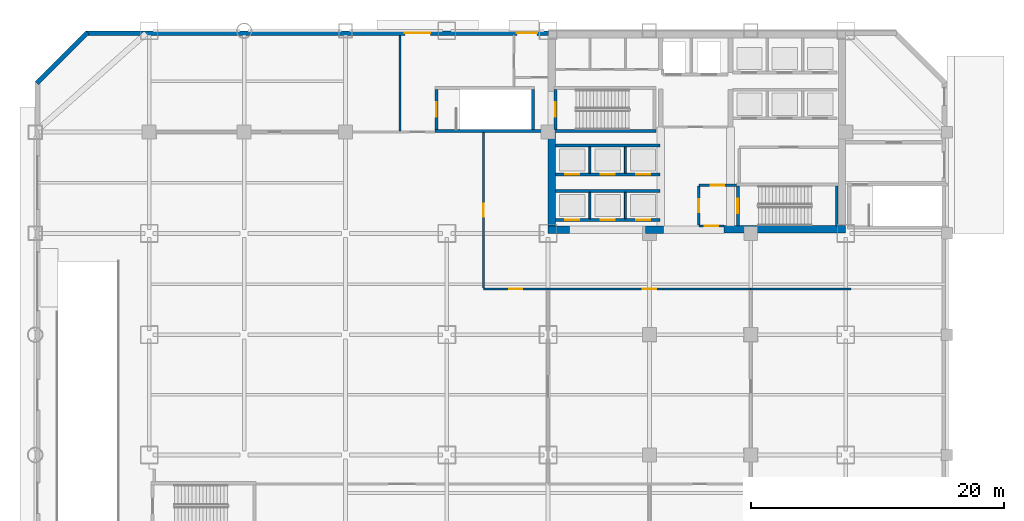
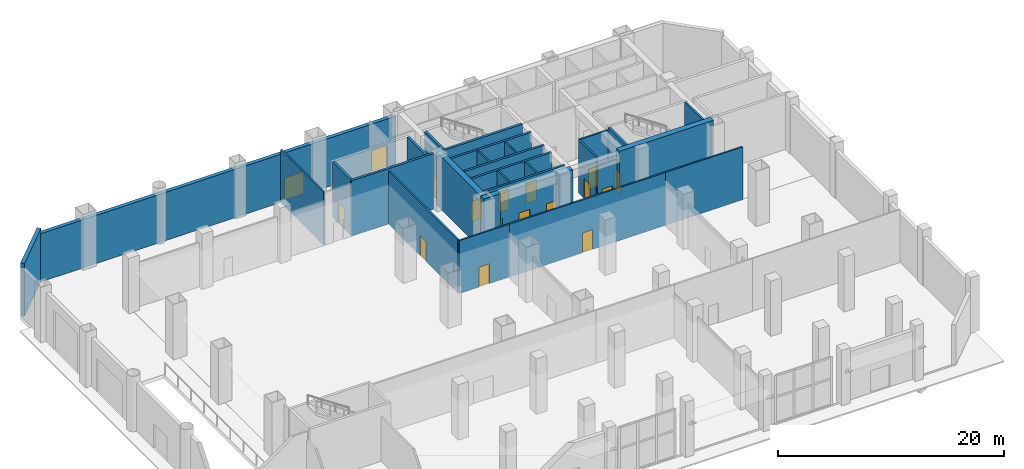
# One storey, part 12 of 19: 29 walls, 17 doors, 17 openings.
"""IFC4 building model written with IfcOpenShell, lengths in metres."""

from ifc_helpers import new_model, si_unit, direction, frame, frame_2d, origin, place, context, subcontext, project, spatial, rectangle, extrude, material, layer, layer_set, type_object, element, fill, save


model = new_model("IFC4")

# Units and contexts
model_context = context("Model", 3, precision=1e-05, world=origin(), true_north=direction((0.0, 1.0)))
body_context = subcontext(model_context, "Body", "Model", "MODEL_VIEW")
ifc_project = project(units=[si_unit("LENGTHUNIT", "METRE"), si_unit("AREAUNIT", "SQUARE_METRE"), si_unit("VOLUMEUNIT", "CUBIC_METRE"), si_unit("PLANEANGLEUNIT", "RADIAN"), si_unit("MASSUNIT", "GRAM", prefix="KILO")], contexts=[model_context])

# Site, building, storey
site_placement = place(None, origin())
site = spatial("IfcSite", under=ifc_project, at=site_placement, CompositionType="ELEMENT")
building_placement = place(site_placement, origin())
building = spatial("IfcBuilding", under=site, at=building_placement, Name="Qianrong Seaharbour Tower", CompositionType="ELEMENT")
storey_placement = place(building_placement, origin())
storey = spatial("IfcBuildingStorey", under=building, at=storey_placement, Name="L01", CompositionType="ELEMENT", Elevation=0.0)

# Walls
ifc_material_1 = material(Name="Concrete C70/85", Category="concrete")
ifc_layer_1 = layer(ifc_material_1, 0.580078125)
ifc_layer_set_1 = layer_set([ifc_layer_1], Name="Concrete C70/85")
wall_type_1 = type_object("IfcWallType", Name="WALL-CORE-580", PredefinedType="SHEAR", material=ifc_layer_set_1)
wall_1_placement = place(storey_placement, frame((40.7900390625, 36.580078125, 0.0), z_axis=(0.0, 0.0, 1.0), x_axis=(0.0, 1.0, 0.0)))
element("IfcWall", 1, at=wall_1_placement, inside=storey, type_object=wall_type_1, Name="L01 West Core Shear Wall South", PredefinedType="SHEAR", context=body_context, shape_type="SweptSolid", body=[
    extrude(rectangle(XDim=7.81982421875, YDim=0.580078125, at=frame_2d((3.909912109375, 0.0))), origin(), (0.0, 0.0, 1.0), 5.719970703125),
])
wall_2_placement = place(storey_placement, frame((40.5, 36.2900390625, 0.0), z_axis=(0.0, 0.0, 1.0), x_axis=(1.0, 0.0, 0.0)))
element("IfcWall", 2, at=wall_2_placement, inside=storey, type_object=wall_type_1, Name="L01 South Core Shear Wall S1", PredefinedType="SHEAR", context=body_context, shape_type="SweptSolid", body=[
    extrude(rectangle(XDim=1.699951171875, YDim=0.580078125, at=frame_2d((0.85009765625, 0.0))), origin(), (0.0, 0.0, 1.0), 5.719970703125),
])
wall_3_placement = place(storey_placement, frame((48.199951171875, 36.2900390625, 0.0), z_axis=(0.0, 0.0, 1.0), x_axis=(1.0, 0.0, 0.0)))
element("IfcWall", 3, at=wall_3_placement, inside=storey, type_object=wall_type_1, Name="L01 South Core Shear Wall S2", PredefinedType="SHEAR", context=body_context, shape_type="SweptSolid", body=[
    extrude(rectangle(XDim=1.400146484375, YDim=0.580078125, at=frame_2d((0.7001953125, 0.0))), origin(), (0.0, 0.0, 1.0), 5.719970703125),
])
wall_4_placement = place(storey_placement, frame((54.39990234375, 36.320068359375, 0.0), z_axis=(0.0, 0.0, 1.0), x_axis=(1.0, 0.0, 0.0)))
element("IfcWall", 4, at=wall_4_placement, inside=storey, type_object=wall_type_1, Name="L01 South Core Shear Wall S3", PredefinedType="SHEAR", context=body_context, shape_type="SweptSolid", body=[
    extrude(rectangle(XDim=9.60009765625, YDim=0.580078125, at=frame_2d((4.800048828125, 0.0))), origin(), (0.0, 0.0, 1.0), 6.0),
])

# Wall, opening, door
ifc_material_2 = material(Name="Fire-rated acoustic gypsum board partition")
ifc_layer_2 = layer(ifc_material_2, 0.1650390625)
ifc_layer_set_2 = layer_set([ifc_layer_2], Name="Fire-rated acoustic gypsum board partition")
wall_type_2 = type_object("IfcWallType", Name="WALL-CORR-PART-165", PredefinedType="PARTITIONING", material=ifc_layer_set_2)
wall_5_placement = place(storey_placement, frame((54.39990234375, 36.580078125, 0.0), z_axis=(0.0, 0.0, 1.0), x_axis=(-1.0, 0.0, 0.0)))
wall_5 = element("IfcWall", 5, at=wall_5_placement, inside=storey, type_object=wall_type_2, Name="L01 Interior Partition Wall 005", PredefinedType="PARTITIONING", context=body_context, shape_type="SweptSolid", body=[
    extrude(rectangle(XDim=2.0, YDim=0.1650390625, at=frame_2d((1.0, 0.0))), origin(), (0.0, 0.0, 1.0), 4.81201171875),
])
opening_1_placement = place(wall_5_placement, frame((0.47509765625, 0.0, 0.0)))
opening_1 = element("IfcOpeningElement", 6, at=opening_1_placement, cuts=wall_5, Name="Opening DC-01", PredefinedType="OPENING", context=body_context, shape_type="SweptSolid", body=[
    extrude(rectangle(XDim=1.050048828125, YDim=2.14990234375, at=frame_2d((0.52490234375, 1.074951171875))), frame((0.0, 0.092529296875, 0.0), z_axis=(0.0, -1.0, 0.0), x_axis=(1.0, 0.0, 0.0)), (0.0, 0.0, 1.0), 0.18505859375),
])
ifc_material_3 = material(Name="Acoustic timber and galvanized steel fire door assembly", Category="steel")
door_type_1 = type_object("IfcDoorType", Name="DOOR-CORR-FD60-1050x2150", OperationType="NOTDEFINED", PredefinedType="DOOR", material=ifc_material_3)
door_1_placement = place(opening_1_placement, origin())
door_1 = element("IfcDoor", 7, at=door_1_placement, inside=storey, type_object=door_type_1, Name="L01 Smokeproof Stair Vestibule ST-2 Door", OperationType="SINGLE_SWING_RIGHT", OverallHeight=2.14990234375, OverallWidth=1.050048828125, PredefinedType="DOOR", context=body_context, shape_type="SweptSolid", body=[
    extrude(rectangle(XDim=1.050048828125, YDim=2.14990234375, at=frame_2d((0.52490234375, 1.074951171875))), frame((0.0, 0.02490234375, 0.0), z_axis=(0.0, -1.0, 0.0), x_axis=(1.0, 0.0, 0.0)), (0.0, 0.0, 1.0), 0.050048828125),
])
fill(opening_1, door_1)

wall_6_placement = place(storey_placement, frame((52.39990234375, 36.654541015625, 0.0), z_axis=(0.0, 0.0, 1.0), x_axis=(0.0, 1.0, 0.0)))
wall_6 = element("IfcWall", 8, at=wall_6_placement, inside=storey, type_object=wall_type_2, Name="L01 Interior Partition Wall 006", PredefinedType="PARTITIONING", context=body_context, shape_type="SweptSolid", body=[
    extrude(rectangle(XDim=3.071044921875, YDim=0.1650390625, at=frame_2d((1.53564453125, 0.0))), origin(), (0.0, 0.0, 1.0), 5.719970703125),
])
opening_2_placement = place(wall_6_placement, frame((1.010498046875, 0.0, 0.0)))
opening_2 = element("IfcOpeningElement", 9, at=opening_2_placement, cuts=wall_6, Name="Opening DC-01", PredefinedType="OPENING", context=body_context, shape_type="SweptSolid", body=[
    extrude(rectangle(XDim=1.050048828125, YDim=2.14990234375, at=frame_2d((0.52490234375, 1.074951171875))), frame((0.0, 0.092529296875, 0.0), z_axis=(0.0, -1.0, 0.0), x_axis=(1.0, 0.0, 0.0)), (0.0, 0.0, 1.0), 0.18505859375),
])
door_2_placement = place(opening_2_placement, origin())
door_2 = element("IfcDoor", 10, at=door_2_placement, inside=storey, type_object=door_type_1, Name="L01 Smokeproof Stair Vestibule ST-2 Door", OperationType="SINGLE_SWING_LEFT", OverallHeight=2.14990234375, OverallWidth=1.050048828125, PredefinedType="DOOR", context=body_context, shape_type="SweptSolid", body=[
    extrude(rectangle(XDim=1.050048828125, YDim=2.14990234375, at=frame_2d((0.52490234375, 1.074951171875))), frame((0.0, 0.02490234375, 0.0), z_axis=(0.0, -1.0, 0.0), x_axis=(1.0, 0.0, 0.0)), (0.0, 0.0, 1.0), 0.050048828125),
])
fill(opening_2, door_2)

wall_7_placement = place(storey_placement, frame((52.39990234375, 39.800048828125, 0.0), z_axis=(0.0, 0.0, 1.0), x_axis=(1.0, 0.0, 0.0)))
wall_7 = element("IfcWall", 11, at=wall_7_placement, inside=storey, type_object=wall_type_2, Name="L01 Interior Partition Wall 007", PredefinedType="PARTITIONING", context=body_context, shape_type="SweptSolid", body=[
    extrude(rectangle(XDim=2.960205078125, YDim=0.1650390625, at=frame_2d((1.47998046875, 0.0))), origin(), (0.0, 0.0, 1.0), 5.719970703125),
])
opening_3_placement = place(wall_7_placement, frame((0.955078125, 0.0, 0.0)))
opening_3 = element("IfcOpeningElement", 12, at=opening_3_placement, cuts=wall_7, Name="Opening DC-01", PredefinedType="OPENING", context=body_context, shape_type="SweptSolid", body=[
    extrude(rectangle(XDim=1.050048828125, YDim=2.14990234375, at=frame_2d((0.52490234375, 1.074951171875))), frame((0.0, 0.092529296875, 0.0), z_axis=(0.0, -1.0, 0.0), x_axis=(1.0, 0.0, 0.0)), (0.0, 0.0, 1.0), 0.18505859375),
])
door_3_placement = place(opening_3_placement, origin())
door_3 = element("IfcDoor", 13, at=door_3_placement, inside=storey, type_object=door_type_1, Name="L01 Smokeproof Stair Vestibule ST-2 Door", OperationType="SINGLE_SWING_RIGHT", OverallHeight=2.14990234375, OverallWidth=1.050048828125, PredefinedType="DOOR", context=body_context, shape_type="SweptSolid", body=[
    extrude(rectangle(XDim=1.050048828125, YDim=2.14990234375, at=frame_2d((0.52490234375, 1.074951171875))), frame((0.0, 0.02490234375, 0.0), z_axis=(0.0, -1.0, 0.0), x_axis=(1.0, 0.0, 0.0)), (0.0, 0.0, 1.0), 0.050048828125),
])
fill(opening_3, door_3)

# Wall
wall_8_placement = place(storey_placement, frame((28.800048828125, 44.074462890625, 0.0), z_axis=(0.0, 0.0, 1.0), x_axis=(0.0, 1.0, 0.0)))
element("IfcWall", 14, at=wall_8_placement, inside=storey, type_object=wall_type_2, Name="L01 Interior Partition Wall 016", PredefinedType="PARTITIONING", context=body_context, shape_type="SweptSolid", body=[
    extrude(rectangle(XDim=7.553466796875, YDim=0.1650390625, at=frame_2d((3.77685546875, 0.0))), origin(), (0.0, 0.0, 1.0), 5.719970703125),
])

# Wall, opening, door
wall_9_placement = place(storey_placement, frame((40.5, 31.60009765625, 0.0), z_axis=(0.0, 0.0, 1.0), x_axis=(-1.0, 0.0, 0.0)))
wall_9 = element("IfcWall", 15, at=wall_9_placement, inside=storey, type_object=wall_type_2, Name="L01 Interior Partition Wall 018", PredefinedType="PARTITIONING", context=body_context, shape_type="SweptSolid", body=[
    extrude(rectangle(XDim=5.10009765625, YDim=0.1650390625, at=frame_2d((2.550048828125, 0.0))), origin(), (0.0, 0.0, 1.0), 5.719970703125),
])
opening_4_placement = place(wall_9_placement, frame((2.02490234375, 0.0, 0.0)))
opening_4 = element("IfcOpeningElement", 16, at=opening_4_placement, cuts=wall_9, Name="Opening DC-01", PredefinedType="OPENING", context=body_context, shape_type="SweptSolid", body=[
    extrude(rectangle(XDim=1.050048828125, YDim=2.14990234375, at=frame_2d((0.52490234375, 1.074951171875))), frame((0.0, 0.092529296875, 0.0), z_axis=(0.0, -1.0, 0.0), x_axis=(1.0, 0.0, 0.0)), (0.0, 0.0, 1.0), 0.18505859375),
])
door_4_placement = place(opening_4_placement, origin())
door_4 = element("IfcDoor", 17, at=door_4_placement, inside=storey, type_object=door_type_1, Name="L01 Protected Escape Stair Exit Passageway Door", OperationType="SINGLE_SWING_RIGHT", OverallHeight=2.14990234375, OverallWidth=1.050048828125, PredefinedType="DOOR", context=body_context, shape_type="SweptSolid", body=[
    extrude(rectangle(XDim=1.050048828125, YDim=2.14990234375, at=frame_2d((0.52490234375, 1.074951171875))), frame((0.0, 0.02490234375, 0.0), z_axis=(0.0, -1.0, 0.0), x_axis=(1.0, 0.0, 0.0)), (0.0, 0.0, 1.0), 0.050048828125),
])
fill(opening_4, door_4)

wall_10_placement = place(storey_placement, frame((35.39990234375, 31.674560546875, 0.0), z_axis=(0.0, 0.0, 1.0), x_axis=(0.0, 1.0, 0.0)))
wall_10 = element("IfcWall", 18, at=wall_10_placement, inside=storey, type_object=wall_type_2, Name="L01 Interior Partition Wall 019", PredefinedType="PARTITIONING", context=body_context, shape_type="SweptSolid", body=[
    extrude(rectangle(XDim=12.29345703125, YDim=0.1650390625, at=frame_2d((6.146728515625, 0.0))), origin(), (0.0, 0.0, 1.0), 5.719970703125),
])
opening_5_placement = place(wall_10_placement, frame((5.62158203125, 0.0, 0.0)))
opening_5 = element("IfcOpeningElement", 19, at=opening_5_placement, cuts=wall_10, Name="Opening DC-01", PredefinedType="OPENING", context=body_context, shape_type="SweptSolid", body=[
    extrude(rectangle(XDim=1.050048828125, YDim=2.14990234375, at=frame_2d((0.52490234375, 1.074951171875))), frame((0.0, 0.092529296875, 0.0), z_axis=(0.0, -1.0, 0.0), x_axis=(1.0, 0.0, 0.0)), (0.0, 0.0, 1.0), 0.18505859375),
])
door_5_placement = place(opening_5_placement, origin())
door_5 = element("IfcDoor", 20, at=door_5_placement, inside=storey, type_object=door_type_1, Name="L01 Protected Escape Stair Exit Passageway Door", OperationType="SINGLE_SWING_RIGHT", OverallHeight=2.14990234375, OverallWidth=1.050048828125, PredefinedType="DOOR", context=body_context, shape_type="SweptSolid", body=[
    extrude(rectangle(XDim=1.050048828125, YDim=2.14990234375, at=frame_2d((0.52490234375, 1.074951171875))), frame((0.0, 0.02490234375, 0.0), z_axis=(0.0, -1.0, 0.0), x_axis=(1.0, 0.0, 0.0)), (0.0, 0.0, 1.0), 0.050048828125),
])
fill(opening_5, door_5)

wall_11_placement = place(storey_placement, frame((56.5, 31.60009765625, 0.0), z_axis=(0.0, 0.0, 1.0), x_axis=(-1.0, 0.0, 0.0)))
wall_11 = element("IfcWall", 21, at=wall_11_placement, inside=storey, type_object=wall_type_2, Name="L01 Interior Partition Wall 020", PredefinedType="PARTITIONING", context=body_context, shape_type="SweptSolid", body=[
    extrude(rectangle(XDim=16.0, YDim=0.1650390625, at=frame_2d((8.0, 0.0))), origin(), (0.0, 0.0, 1.0), 5.719970703125),
])
opening_6_placement = place(wall_11_placement, frame((7.47509765625, 0.0, 0.0)))
opening_6 = element("IfcOpeningElement", 22, at=opening_6_placement, cuts=wall_11, Name="Opening DC-01", PredefinedType="OPENING", context=body_context, shape_type="SweptSolid", body=[
    extrude(rectangle(XDim=1.050048828125, YDim=2.14990234375, at=frame_2d((0.52490234375, 1.074951171875))), frame((0.0, 0.092529296875, 0.0), z_axis=(0.0, -1.0, 0.0), x_axis=(1.0, 0.0, 0.0)), (0.0, 0.0, 1.0), 0.18505859375),
])
door_6_placement = place(opening_6_placement, origin())
door_6 = element("IfcDoor", 23, at=door_6_placement, inside=storey, type_object=door_type_1, Name="L01 Protected Escape Stair Exit Passageway Door", OperationType="SINGLE_SWING_LEFT", OverallHeight=2.14990234375, OverallWidth=1.050048828125, PredefinedType="DOOR", context=body_context, shape_type="SweptSolid", body=[
    extrude(rectangle(XDim=1.050048828125, YDim=2.14990234375, at=frame_2d((0.52490234375, 1.074951171875))), frame((0.0, 0.02490234375, 0.0), z_axis=(0.0, -1.0, 0.0), x_axis=(1.0, 0.0, 0.0)), (0.0, 0.0, 1.0), 0.050048828125),
])
fill(opening_6, door_6)

# Walls
wall_12_placement = place(storey_placement, frame((64.39990234375, 31.60009765625, 0.0), z_axis=(0.0, 0.0, 1.0), x_axis=(-1.0, 0.0, 0.0)))
element("IfcWall", 24, at=wall_12_placement, inside=storey, type_object=wall_type_2, Name="L01 Interior Partition Wall 021", PredefinedType="PARTITIONING", context=body_context, shape_type="SweptSolid", body=[
    extrude(rectangle(XDim=7.89990234375, YDim=0.1650390625, at=frame_2d((3.949951171875, 0.0))), origin(), (0.0, 0.0, 1.0), 5.719970703125),
])
ifc_material_4 = material(Name="Natural honed granite dimension stone", Category="masonry")
ifc_layer_3 = layer(ifc_material_4, 0.3798828125)
ifc_layer_set_3 = layer_set([ifc_layer_3], Name="Natural honed granite dimension stone")
wall_type_3 = type_object("IfcWallType", Name="WALL-EXT-GRANITE-380", PredefinedType="SOLIDWALL", material=ifc_layer_set_3)
wall_13_placement = place(storey_placement, frame((0.13427734375, 47.86572265625, 0.0), z_axis=(0.0, 0.0, 1.0), x_axis=(0.707106781187, 0.707106781187, 0.0)))
element("IfcWall", 25, at=wall_13_placement, inside=storey, type_object=wall_type_3, Name="L01 Exterior Masonry Facade Wall E01", PredefinedType="SOLIDWALL", context=body_context, shape_type="SweptSolid", body=[
    extrude(rectangle(XDim=5.65673828125, YDim=0.3798828125, at=frame_2d((2.828369140625, 0.0))), origin(), (0.0, 0.0, 1.0), 5.719970703125),
])

# Wall, openings, doors
wall_14_placement = place(storey_placement, frame((4.0, 51.81005859375, 0.0), z_axis=(0.0, 0.0, 1.0), x_axis=(1.0, 0.0, 0.0)))
wall_14 = element("IfcWall", 26, at=wall_14_placement, inside=storey, type_object=wall_type_3, Name="L01 Exterior Masonry Facade Wall NORTH_WING", PredefinedType="SOLIDWALL", context=body_context, shape_type="SweptSolid", body=[
    extrude(rectangle(XDim=36.52001953125, YDim=0.3798828125, at=frame_2d((18.260009765625, 0.0))), origin(), (0.0, 0.0, 1.0), 5.219970703125),
])
opening_7_placement = place(wall_14_placement, frame((25.199951171875, 0.0, 0.0)))
opening_7 = element("IfcOpeningElement", 27, at=opening_7_placement, cuts=wall_14, Name="Opening EXD-1", PredefinedType="OPENING", context=body_context, shape_type="SweptSolid", body=[
    extrude(rectangle(XDim=2.0, YDim=2.39990234375, at=frame_2d((1.0, 1.199951171875))), frame((0.0, 0.199951171875, 0.0), z_axis=(0.0, -1.0, 0.0), x_axis=(1.0, 0.0, 0.0)), (0.0, 0.0, 1.0), 0.39990234375),
])
opening_8_placement = place(wall_14_placement, frame((34.030029296875, 0.0, 0.0)))
opening_8 = element("IfcOpeningElement", 28, at=opening_8_placement, cuts=wall_14, Name="Opening D-TER2", PredefinedType="OPENING", context=body_context, shape_type="SweptSolid", body=[
    extrude(rectangle(XDim=1.60009765625, YDim=2.35009765625, at=frame_2d((0.800048828125, 1.175048828125))), frame((0.0, 0.199951171875, 0.0), z_axis=(0.0, -1.0, 0.0), x_axis=(1.0, 0.0, 0.0)), (0.0, 0.0, 1.0), 0.39990234375),
])
ifc_material_5 = material(Name="Insulated galvanized steel and laminated glass door assembly", Category="steel")
door_type_2 = type_object("IfcDoorType", Name="DOOR-EXT-EXIT-2000x2400", OperationType="DOUBLE_DOOR_SINGLE_SWING", PredefinedType="DOOR", material=ifc_material_5)
door_7_placement = place(opening_7_placement, origin())
door_7 = element("IfcDoor", 29, at=door_7_placement, inside=storey, type_object=door_type_2, Name="L01 North Basement Discharge Exit Door EX-04", OperationType="DOUBLE_DOOR_SINGLE_SWING", OverallHeight=2.39990234375, OverallWidth=2.0, PredefinedType="DOOR", context=body_context, shape_type="SweptSolid", body=[
    extrude(rectangle(XDim=2.0, YDim=2.39990234375, at=frame_2d((1.0, 1.199951171875))), frame((0.0, 0.02490234375, 0.0), z_axis=(0.0, -1.0, 0.0), x_axis=(1.0, 0.0, 0.0)), (0.0, 0.0, 1.0), 0.050048828125),
])
fill(opening_7, door_7)
door_type_3 = type_object("IfcDoorType", Name="DOOR-EXT-GARDEN-1600x2350", OperationType="DOUBLE_DOOR_SINGLE_SWING", PredefinedType="DOOR", material=ifc_material_5)
door_8_placement = place(opening_8_placement, origin())
door_8 = element("IfcDoor", 30, at=door_8_placement, inside=storey, type_object=door_type_3, Name="L01 North Sanitary Vestibule Exit Door EX-07", OperationType="DOUBLE_DOOR_SINGLE_SWING", OverallHeight=2.35009765625, OverallWidth=1.60009765625, PredefinedType="DOOR", context=body_context, shape_type="SweptSolid", body=[
    extrude(rectangle(XDim=1.60009765625, YDim=2.35009765625, at=frame_2d((0.800048828125, 1.175048828125))), frame((0.0, 0.02490234375, 0.0), z_axis=(0.0, -1.0, 0.0), x_axis=(1.0, 0.0, 0.0)), (0.0, 0.0, 1.0), 0.050048828125),
])
fill(opening_8, door_8)

# Walls
ifc_material_6 = material(Name="Fire-rated gypsum board on steel studs", Category="steel")
ifc_layer_4 = layer(ifc_material_6, 0.14990234375)
ifc_layer_set_4 = layer_set([ifc_layer_4], Name="Fire-rated gypsum board on steel studs")
wall_type_4 = type_object("IfcWallType", Name="WALL-SHAFT-DIV-150", PredefinedType="PARTITIONING", material=ifc_layer_set_4)
for number, where, z_axis, x_axis, name in (
    (31, (43.800048828125, 37.159912109375, 0.0), (0.0, 0.0, 1.0), (0.0, 1.0, 0.0), "L01 P1 Lift Hoistway Divider 2"),
    (32, (46.60009765625, 37.159912109375, 0.0), (0.0, 0.0, 1.0), (0.0, 1.0, 0.0), "L01 P1 Lift Hoistway Divider 3"),
    (33, (43.800048828125, 40.760009765625, 0.0), (0.0, 0.0, 1.0), (0.0, 1.0, 0.0), "L01 P2 Lift Hoistway Divider 2"),
    (34, (46.60009765625, 40.760009765625, 0.0), (0.0, 0.0, 1.0), (0.0, 1.0, 0.0), "L01 P2 Lift Hoistway Divider 3"),
):
    element("IfcWall", number, at=place(storey_placement, frame(where, z_axis=z_axis, x_axis=x_axis)), inside=storey, type_object=wall_type_4, Name=name, PredefinedType="PARTITIONING", context=body_context, shape_type="SweptSolid", body=[
        extrude(rectangle(XDim=2.080078125, YDim=0.14990234375, at=frame_2d((1.0400390625, 0.0))), origin(), (0.0, 0.0, 1.0), 5.719970703125),
    ])

# Wall, openings, doors
ifc_layer_5 = layer(ifc_material_6, 0.219970703125)
ifc_layer_set_5 = layer_set([ifc_layer_5], Name="Fire-rated gypsum board on steel studs")
wall_type_5 = type_object("IfcWallType", Name="WALL-SHAFT-GYP220", PredefinedType="PARTITIONING", material=ifc_layer_set_5)
wall_15_placement = place(storey_placement, frame((49.320068359375, 37.050048828125, 0.0), z_axis=(0.0, 0.0, 1.0), x_axis=(-1.0, 0.0, 0.0)))
wall_15 = element("IfcWall", 35, at=wall_15_placement, inside=storey, type_object=wall_type_5, Name="L01 P1 Lift Hoistway Front Wall", PredefinedType="PARTITIONING", context=body_context, shape_type="SweptSolid", body=[
    extrude(rectangle(XDim=8.239990234375, YDim=0.219970703125, at=frame_2d((4.1201171875, 0.0))), origin(), (0.0, 0.0, 1.0), 5.719970703125),
])
opening_9_placement = place(wall_15_placement, frame((6.3701171875, 0.0, 0.0)))
opening_9 = element("IfcOpeningElement", 36, at=opening_9_placement, cuts=wall_15, Name="Opening LD-02", PredefinedType="OPENING", context=body_context, shape_type="SweptSolid", body=[
    extrude(rectangle(XDim=1.10009765625, YDim=2.199951171875, at=frame_2d((0.550048828125, 1.10009765625))), frame((0.0, 0.1201171875, 0.0), z_axis=(0.0, -1.0, 0.0), x_axis=(1.0, 0.0, 0.0)), (0.0, 0.0, 1.0), 0.239990234375),
])
opening_10_placement = place(wall_15_placement, frame((3.570068359375, 0.0, 0.0)))
opening_10 = element("IfcOpeningElement", 37, at=opening_10_placement, cuts=wall_15, Name="Opening LD-02", PredefinedType="OPENING", context=body_context, shape_type="SweptSolid", body=[
    extrude(rectangle(XDim=1.10009765625, YDim=2.199951171875, at=frame_2d((0.550048828125, 1.10009765625))), frame((0.0, 0.1201171875, 0.0), z_axis=(0.0, -1.0, 0.0), x_axis=(1.0, 0.0, 0.0)), (0.0, 0.0, 1.0), 0.239990234375),
])
opening_11_placement = place(wall_15_placement, frame((0.77001953125, 0.0, 0.0)))
opening_11 = element("IfcOpeningElement", 38, at=opening_11_placement, cuts=wall_15, Name="Opening LD-02", PredefinedType="OPENING", context=body_context, shape_type="SweptSolid", body=[
    extrude(rectangle(XDim=1.10009765625, YDim=2.199951171875, at=frame_2d((0.550048828125, 1.10009765625))), frame((0.0, 0.1201171875, 0.0), z_axis=(0.0, -1.0, 0.0), x_axis=(1.0, 0.0, 0.0)), (0.0, 0.0, 1.0), 0.239990234375),
])
ifc_material_7 = material(Name="Stainless steel SUS316L bi-parting lift landing door", Category="steel")
door_type_4 = type_object("IfcDoorType", Name="DOOR-LIFT-PASS-1100x2200", OperationType="DOUBLE_DOOR_SLIDING", PredefinedType="DOOR", material=ifc_material_7)
door_9_placement = place(opening_9_placement, origin())
door_9 = element("IfcDoor", 39, at=door_9_placement, inside=storey, type_object=door_type_4, Name="L01 PL-1A Lift Landing Door", OperationType="DOUBLE_DOOR_SLIDING", OverallHeight=2.199951171875, OverallWidth=1.10009765625, PredefinedType="DOOR", context=body_context, shape_type="SweptSolid", body=[
    extrude(rectangle(XDim=1.10009765625, YDim=2.199951171875, at=frame_2d((0.550048828125, 1.10009765625))), frame((0.0, 0.02490234375, 0.0), z_axis=(0.0, -1.0, 0.0), x_axis=(1.0, 0.0, 0.0)), (0.0, 0.0, 1.0), 0.050048828125),
])
fill(opening_9, door_9)
door_10_placement = place(opening_10_placement, origin())
door_10 = element("IfcDoor", 40, at=door_10_placement, inside=storey, type_object=door_type_4, Name="L01 PL-1B Lift Landing Door", OperationType="DOUBLE_DOOR_SLIDING", OverallHeight=2.199951171875, OverallWidth=1.10009765625, PredefinedType="DOOR", context=body_context, shape_type="SweptSolid", body=[
    extrude(rectangle(XDim=1.10009765625, YDim=2.199951171875, at=frame_2d((0.550048828125, 1.10009765625))), frame((0.0, 0.02490234375, 0.0), z_axis=(0.0, -1.0, 0.0), x_axis=(1.0, 0.0, 0.0)), (0.0, 0.0, 1.0), 0.050048828125),
])
fill(opening_10, door_10)
door_11_placement = place(opening_11_placement, origin())
door_11 = element("IfcDoor", 41, at=door_11_placement, inside=storey, type_object=door_type_4, Name="L01 PL-1C Lift Landing Door", OperationType="DOUBLE_DOOR_SLIDING", OverallHeight=2.199951171875, OverallWidth=1.10009765625, PredefinedType="DOOR", context=body_context, shape_type="SweptSolid", body=[
    extrude(rectangle(XDim=1.10009765625, YDim=2.199951171875, at=frame_2d((0.550048828125, 1.10009765625))), frame((0.0, 0.02490234375, 0.0), z_axis=(0.0, -1.0, 0.0), x_axis=(1.0, 0.0, 0.0)), (0.0, 0.0, 1.0), 0.050048828125),
])
fill(opening_11, door_11)

# Wall
wall_16_placement = place(storey_placement, frame((41.080078125, 39.35009765625, 0.0), z_axis=(0.0, 0.0, 1.0), x_axis=(1.0, 0.0, 0.0)))
element("IfcWall", 42, at=wall_16_placement, inside=storey, type_object=wall_type_5, Name="L01 P1 Lift Hoistway Back Wall", PredefinedType="PARTITIONING", context=body_context, shape_type="SweptSolid", body=[
    extrude(rectangle(XDim=8.239990234375, YDim=0.219970703125, at=frame_2d((4.1201171875, 0.0))), origin(), (0.0, 0.0, 1.0), 5.719970703125),
])

# Wall, openings, doors
wall_17_placement = place(storey_placement, frame((49.320068359375, 40.64990234375, 0.0), z_axis=(0.0, 0.0, 1.0), x_axis=(-1.0, 0.0, 0.0)))
wall_17 = element("IfcWall", 43, at=wall_17_placement, inside=storey, type_object=wall_type_5, Name="L01 P2 Lift Hoistway Front Wall", PredefinedType="PARTITIONING", context=body_context, shape_type="SweptSolid", body=[
    extrude(rectangle(XDim=8.239990234375, YDim=0.219970703125, at=frame_2d((4.1201171875, 0.0))), origin(), (0.0, 0.0, 1.0), 5.719970703125),
])
opening_12_placement = place(wall_17_placement, frame((6.3701171875, 0.0, 0.0)))
opening_12 = element("IfcOpeningElement", 44, at=opening_12_placement, cuts=wall_17, Name="Opening LD-02", PredefinedType="OPENING", context=body_context, shape_type="SweptSolid", body=[
    extrude(rectangle(XDim=1.10009765625, YDim=2.199951171875, at=frame_2d((0.550048828125, 1.10009765625))), frame((0.0, 0.1201171875, 0.0), z_axis=(0.0, -1.0, 0.0), x_axis=(1.0, 0.0, 0.0)), (0.0, 0.0, 1.0), 0.239990234375),
])
opening_13_placement = place(wall_17_placement, frame((3.570068359375, 0.0, 0.0)))
opening_13 = element("IfcOpeningElement", 45, at=opening_13_placement, cuts=wall_17, Name="Opening LD-02", PredefinedType="OPENING", context=body_context, shape_type="SweptSolid", body=[
    extrude(rectangle(XDim=1.10009765625, YDim=2.199951171875, at=frame_2d((0.550048828125, 1.10009765625))), frame((0.0, 0.1201171875, 0.0), z_axis=(0.0, -1.0, 0.0), x_axis=(1.0, 0.0, 0.0)), (0.0, 0.0, 1.0), 0.239990234375),
])
opening_14_placement = place(wall_17_placement, frame((0.77001953125, 0.0, 0.0)))
opening_14 = element("IfcOpeningElement", 46, at=opening_14_placement, cuts=wall_17, Name="Opening LD-02", PredefinedType="OPENING", context=body_context, shape_type="SweptSolid", body=[
    extrude(rectangle(XDim=1.10009765625, YDim=2.199951171875, at=frame_2d((0.550048828125, 1.10009765625))), frame((0.0, 0.1201171875, 0.0), z_axis=(0.0, -1.0, 0.0), x_axis=(1.0, 0.0, 0.0)), (0.0, 0.0, 1.0), 0.239990234375),
])
door_12_placement = place(opening_12_placement, origin())
door_12 = element("IfcDoor", 47, at=door_12_placement, inside=storey, type_object=door_type_4, Name="L01 PL-2A Lift Landing Door", OperationType="DOUBLE_DOOR_SLIDING", OverallHeight=2.199951171875, OverallWidth=1.10009765625, PredefinedType="DOOR", context=body_context, shape_type="SweptSolid", body=[
    extrude(rectangle(XDim=1.10009765625, YDim=2.199951171875, at=frame_2d((0.550048828125, 1.10009765625))), frame((0.0, 0.02490234375, 0.0), z_axis=(0.0, -1.0, 0.0), x_axis=(1.0, 0.0, 0.0)), (0.0, 0.0, 1.0), 0.050048828125),
])
fill(opening_12, door_12)
door_13_placement = place(opening_13_placement, origin())
door_13 = element("IfcDoor", 48, at=door_13_placement, inside=storey, type_object=door_type_4, Name="L01 PL-2B Lift Landing Door", OperationType="DOUBLE_DOOR_SLIDING", OverallHeight=2.199951171875, OverallWidth=1.10009765625, PredefinedType="DOOR", context=body_context, shape_type="SweptSolid", body=[
    extrude(rectangle(XDim=1.10009765625, YDim=2.199951171875, at=frame_2d((0.550048828125, 1.10009765625))), frame((0.0, 0.02490234375, 0.0), z_axis=(0.0, -1.0, 0.0), x_axis=(1.0, 0.0, 0.0)), (0.0, 0.0, 1.0), 0.050048828125),
])
fill(opening_13, door_13)
door_14_placement = place(opening_14_placement, origin())
door_14 = element("IfcDoor", 49, at=door_14_placement, inside=storey, type_object=door_type_4, Name="L01 PL-2C Lift Landing Door", OperationType="DOUBLE_DOOR_SLIDING", OverallHeight=2.199951171875, OverallWidth=1.10009765625, PredefinedType="DOOR", context=body_context, shape_type="SweptSolid", body=[
    extrude(rectangle(XDim=1.10009765625, YDim=2.199951171875, at=frame_2d((0.550048828125, 1.10009765625))), frame((0.0, 0.02490234375, 0.0), z_axis=(0.0, -1.0, 0.0), x_axis=(1.0, 0.0, 0.0)), (0.0, 0.0, 1.0), 0.050048828125),
])
fill(opening_14, door_14)

# Walls
wall_18_placement = place(storey_placement, frame((41.080078125, 42.949951171875, 0.0), z_axis=(0.0, 0.0, 1.0), x_axis=(1.0, 0.0, 0.0)))
element("IfcWall", 50, at=wall_18_placement, inside=storey, type_object=wall_type_5, Name="L01 P2 Lift Hoistway Back Wall", PredefinedType="PARTITIONING", context=body_context, shape_type="SweptSolid", body=[
    extrude(rectangle(XDim=8.239990234375, YDim=0.219970703125, at=frame_2d((4.1201171875, 0.0))), origin(), (0.0, 0.0, 1.0), 5.719970703125),
])
ifc_material_8 = material(Name="Concrete C50/60", Category="concrete")
ifc_layer_6 = layer(ifc_material_8, 0.239990234375)
ifc_layer_set_6 = layer_set([ifc_layer_6], Name="Concrete C50/60")
wall_type_6 = type_object("IfcWallType", Name="WALL-SHAFT-RC240", PredefinedType="SOLIDWALL", material=ifc_layer_set_6)
wall_19_placement = place(storey_placement, frame((49.0400390625, 44.080078125, 0.0), z_axis=(0.0, 0.0, 1.0), x_axis=(-1.0, 0.0, 0.0)))
element("IfcWall", 51, at=wall_19_placement, inside=storey, type_object=wall_type_6, Name="L01 ST-1 Structural Stair Core Wall S", PredefinedType="SOLIDWALL", context=body_context, shape_type="SweptSolid", body=[
    extrude(rectangle(XDim=8.080078125, YDim=0.239990234375, at=frame_2d((4.0400390625, 0.0))), origin(), (0.0, 0.0, 1.0), 6.0),
])

# Wall, opening, door
wall_20_placement = place(storey_placement, frame((41.080078125, 47.35009765625, 0.0), z_axis=(0.0, 0.0, 1.0), x_axis=(0.0, -1.0, 0.0)))
wall_20 = element("IfcWall", 52, at=wall_20_placement, inside=storey, type_object=wall_type_6, Name="L01 ST-1 Structural Stair Core Wall W", PredefinedType="SOLIDWALL", context=body_context, shape_type="SweptSolid", body=[
    extrude(rectangle(XDim=3.150146484375, YDim=0.239990234375, at=frame_2d((1.5751953125, 0.0))), origin(), (0.0, 0.0, 1.0), 6.0),
])
opening_15_placement = place(wall_20_placement, frame((1.0, 0.0, 0.0)))
opening_15 = element("IfcOpeningElement", 53, at=opening_15_placement, cuts=wall_20, Name="Opening SD-01", PredefinedType="OPENING", context=body_context, shape_type="SweptSolid", body=[
    extrude(rectangle(XDim=1.14990234375, YDim=2.199951171875, at=frame_2d((0.574951171875, 1.10009765625))), frame((0.0, 0.1298828125, 0.0), z_axis=(0.0, -1.0, 0.0), x_axis=(1.0, 0.0, 0.0)), (0.0, 0.0, 1.0), 0.260009765625),
])
door_type_5 = type_object("IfcDoorType", Name="DOOR-STAIR-FD60-1150x2200", OperationType="NOTDEFINED", PredefinedType="DOOR", material=ifc_material_3)
door_15_placement = place(opening_15_placement, origin())
door_15 = element("IfcDoor", 54, at=door_15_placement, inside=storey, type_object=door_type_5, Name="L01 ST-1 Protected Stair Door", OperationType="SINGLE_SWING_RIGHT", OverallHeight=2.199951171875, OverallWidth=1.14990234375, PredefinedType="DOOR", context=body_context, shape_type="SweptSolid", body=[
    extrude(rectangle(XDim=1.14990234375, YDim=2.199951171875, at=frame_2d((0.574951171875, 1.10009765625))), frame((0.0, 0.02490234375, 0.0), z_axis=(0.0, -1.0, 0.0), x_axis=(1.0, 0.0, 0.0)), (0.0, 0.0, 1.0), 0.050048828125),
])
fill(opening_15, door_15)

wall_21_placement = place(storey_placement, frame((55.47998046875, 39.75, 0.0), z_axis=(0.0, 0.0, 1.0), x_axis=(0.0, -1.0, 0.0)))
wall_21 = element("IfcWall", 55, at=wall_21_placement, inside=storey, type_object=wall_type_6, Name="L01 ST-2 Structural Stair Core Wall W", PredefinedType="SOLIDWALL", context=body_context, shape_type="SweptSolid", body=[
    extrude(rectangle(XDim=3.14990234375, YDim=0.239990234375, at=frame_2d((1.574951171875, 0.0))), origin(), (0.0, 0.0, 1.0), 6.0),
])
opening_16_placement = place(wall_21_placement, frame((1.0, 0.0, 0.0)))
opening_16 = element("IfcOpeningElement", 56, at=opening_16_placement, cuts=wall_21, Name="Opening SD-01", PredefinedType="OPENING", context=body_context, shape_type="SweptSolid", body=[
    extrude(rectangle(XDim=1.14990234375, YDim=2.199951171875, at=frame_2d((0.574951171875, 1.10009765625))), frame((0.0, 0.1298828125, 0.0), z_axis=(0.0, -1.0, 0.0), x_axis=(1.0, 0.0, 0.0)), (0.0, 0.0, 1.0), 0.260009765625),
])
door_16_placement = place(opening_16_placement, origin())
door_16 = element("IfcDoor", 57, at=door_16_placement, inside=storey, type_object=door_type_5, Name="L01 ST-2 Protected Stair Door", OperationType="SINGLE_SWING_RIGHT", OverallHeight=2.199951171875, OverallWidth=1.14990234375, PredefinedType="DOOR", context=body_context, shape_type="SweptSolid", body=[
    extrude(rectangle(XDim=1.14990234375, YDim=2.199951171875, at=frame_2d((0.574951171875, 1.10009765625))), frame((0.0, 0.02490234375, 0.0), z_axis=(0.0, -1.0, 0.0), x_axis=(1.0, 0.0, 0.0)), (0.0, 0.0, 1.0), 0.050048828125),
])
fill(opening_16, door_16)

# Walls
wall_22_placement = place(storey_placement, frame((63.2900390625, 36.60009765625, 0.0), z_axis=(0.0, 0.0, 1.0), x_axis=(0.0, 1.0, 0.0)))
element("IfcWall", 58, at=wall_22_placement, inside=storey, type_object=wall_type_6, Name="L01 ST-2 Structural Stair Core Wall E", PredefinedType="SOLIDWALL", context=body_context, shape_type="SweptSolid", body=[
    extrude(rectangle(XDim=3.14990234375, YDim=0.179931640625, at=frame_2d((1.574951171875, 0.0))), origin(), (0.0, 0.0, 1.0), 6.0),
])
wall_23_placement = place(storey_placement, frame((39.969970703125, 44.080078125, 0.0), z_axis=(0.0, 0.0, 1.0), x_axis=(-1.0, 0.0, 0.0)))
element("IfcWall", 59, at=wall_23_placement, inside=storey, type_object=wall_type_6, Name="L01 BST-1 Structural Stair Core Wall S", PredefinedType="SOLIDWALL", context=body_context, shape_type="SweptSolid", body=[
    extrude(rectangle(XDim=8.409912109375, YDim=0.239990234375, at=frame_2d((4.205078125, 0.0))), origin(), (0.0, 0.0, 1.0), 6.0),
])

# Wall, opening, door
wall_24_placement = place(storey_placement, frame((31.679931640625, 47.35009765625, 0.0), z_axis=(0.0, 0.0, 1.0), x_axis=(0.0, -1.0, 0.0)))
wall_24 = element("IfcWall", 60, at=wall_24_placement, inside=storey, type_object=wall_type_6, Name="L01 BST-1 Structural Stair Core Wall W", PredefinedType="SOLIDWALL", context=body_context, shape_type="SweptSolid", body=[
    extrude(rectangle(XDim=3.150146484375, YDim=0.239990234375, at=frame_2d((1.5751953125, 0.0))), origin(), (0.0, 0.0, 1.0), 6.0),
])
opening_17_placement = place(wall_24_placement, frame((1.0, 0.0, 0.0)))
opening_17 = element("IfcOpeningElement", 61, at=opening_17_placement, cuts=wall_24, Name="Opening SD-01", PredefinedType="OPENING", context=body_context, shape_type="SweptSolid", body=[
    extrude(rectangle(XDim=1.14990234375, YDim=2.199951171875, at=frame_2d((0.574951171875, 1.10009765625))), frame((0.0, 0.1298828125, 0.0), z_axis=(0.0, -1.0, 0.0), x_axis=(1.0, 0.0, 0.0)), (0.0, 0.0, 1.0), 0.260009765625),
])
door_17_placement = place(opening_17_placement, origin())
door_17 = element("IfcDoor", 62, at=door_17_placement, inside=storey, type_object=door_type_5, Name="L01 BST-1 Protected Stair Door", OperationType="SINGLE_SWING_LEFT", OverallHeight=2.199951171875, OverallWidth=1.14990234375, PredefinedType="DOOR", context=body_context, shape_type="SweptSolid", body=[
    extrude(rectangle(XDim=1.14990234375, YDim=2.199951171875, at=frame_2d((0.574951171875, 1.10009765625))), frame((0.0, 0.02490234375, 0.0), z_axis=(0.0, -1.0, 0.0), x_axis=(1.0, 0.0, 0.0)), (0.0, 0.0, 1.0), 0.050048828125),
])
fill(opening_17, door_17)

# Wall
wall_25_placement = place(storey_placement, frame((39.320068359375, 44.199951171875, 0.0), z_axis=(0.0, 0.0, 1.0), x_axis=(0.0, 1.0, 0.0)))
element("IfcWall", 63, at=wall_25_placement, inside=storey, type_object=wall_type_6, Name="L01 BST-1 Structural Stair Core Wall E", PredefinedType="SOLIDWALL", context=body_context, shape_type="SweptSolid", body=[
    extrude(rectangle(XDim=3.150146484375, YDim=0.239990234375, at=frame_2d((1.5751953125, 0.0))), origin(), (0.0, 0.0, 1.0), 6.0),
])

save(model, "model.ifc")
